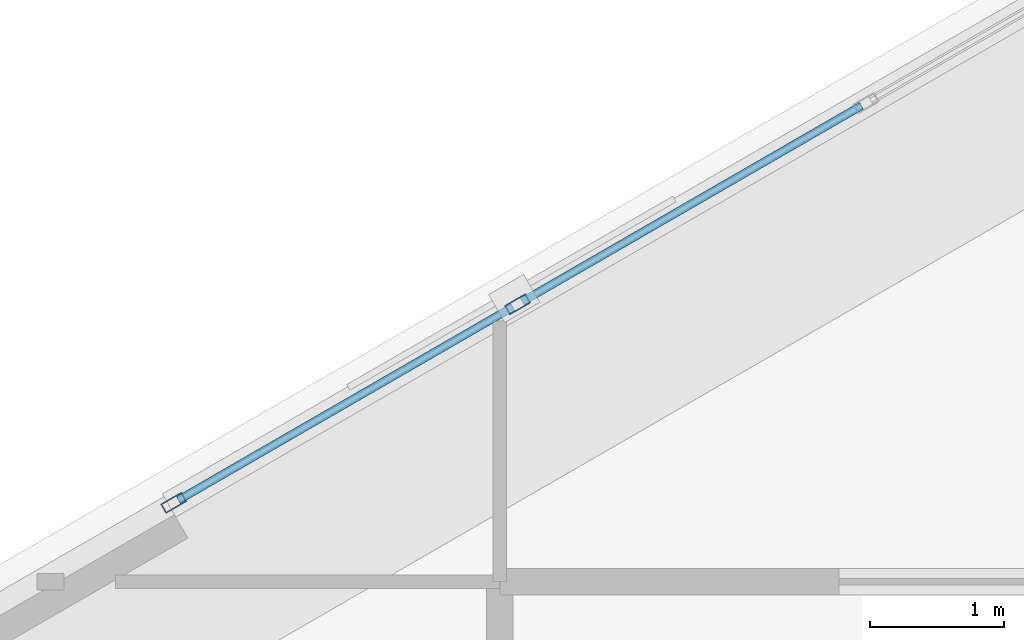
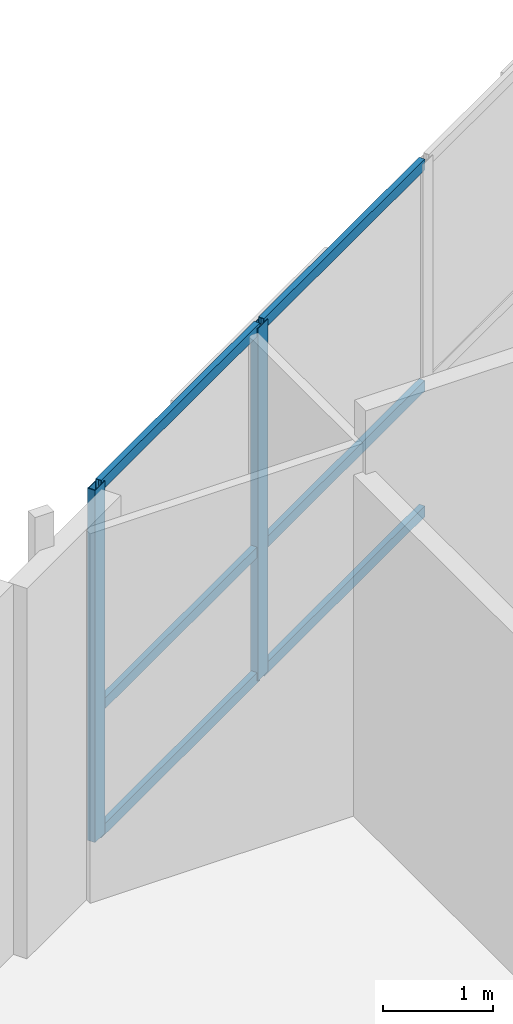
# One storey, part 11 of 29: 8 members, 1 element without a shape of its own.
"""IFC4 building model written with IfcOpenShell, lengths in metres."""

from ifc_helpers import new_model, si_unit, direction, frame, origin, origin_2d, place, context, subcontext, project, spatial, hollow_rectangle, extrude, material, layer, layer_set, material_profile, profile_set, type_object, element, aggregate, save


model = new_model("IFC4")

# Units and contexts
model_context = context("Model", 3, precision=1e-05, world=origin(), true_north=direction((0.0, 1.0)))
body_context = subcontext(model_context, "Body", "Model", "MODEL_VIEW")
ifc_project = project(units=[si_unit("LENGTHUNIT", "METRE"), si_unit("AREAUNIT", "SQUARE_METRE"), si_unit("VOLUMEUNIT", "CUBIC_METRE"), si_unit("PLANEANGLEUNIT", "RADIAN"), si_unit("MASSUNIT", "GRAM", prefix="KILO")], contexts=[model_context])

# Site, building, storey
site_placement = place(None, origin())
site = spatial("IfcSite", under=ifc_project, at=site_placement, CompositionType="ELEMENT")
building_placement = place(site_placement, origin())
building = spatial("IfcBuilding", under=site, at=building_placement, Name="Mersakhor Tower and Convention Hall", CompositionType="ELEMENT")
storey_placement = place(building_placement, frame((0.0, 0.0, 9.60009765625)))
storey = spatial("IfcBuildingStorey", under=building, at=storey_placement, Name="L02", CompositionType="ELEMENT", Elevation=9.60009765625)

# Curtain wall, members
ifc_material_1 = material(Name="Dark solar low-E aluminium curtain wall", Category="aluminium")
ifc_layer = layer(ifc_material_1, 0.18994140625)
ifc_layer_set = layer_set([ifc_layer], Name="Dark solar low-E aluminium curtain wall")
curtain_wall_type = type_object("IfcCurtainWallType", Name="CW-SYS-04", PredefinedType="USERDEFINED", material=ifc_layer_set)
curtain_wall_placement = place(storey_placement, origin())
curtain_wall = element("IfcCurtainWall", 1, at=curtain_wall_placement, inside=storey, type_object=curtain_wall_type, Name="L02 Dark-Glass Curtain Wall F1-B2", ObjectType="CURTAIN WALL", PredefinedType="USERDEFINED")
ifc_material_2 = material(Name="Anodised aluminium EN AW-6063 T6", Category="aluminium")
ifc_material_profile_1 = material_profile(ifc_material_2, hollow_rectangle(XDim=0.080078125, YDim=0.179931640625, WallThickness=0.008056640625, at=origin_2d()), Name="RHS 180x80x8")
ifc_profile_set_1 = profile_set([ifc_material_profile_1], Name="Anodised aluminium EN AW-6063 T6")
member_type_1 = type_object("IfcMemberType", Name="CWM-180x80", PredefinedType="MULLION", material=ifc_profile_set_1)
member_1_placement = place(storey_placement, frame((16.425048828125, 36.63720703125, 0.199951171875), z_axis=(0.0, 0.0, 1.0), x_axis=(-0.50000344889, 0.866023412558, 0.0)))
member_1 = element("IfcMember", 2, at=member_1_placement, type_object=member_type_1, Name="CW-04 mullion 1", PredefinedType="MULLION", context=body_context, shape_type="SweptSolid", body=[
    extrude(hollow_rectangle(XDim=0.080078125, YDim=0.179931640625, WallThickness=0.008056640625, at=origin_2d()), origin(), (0.0, 0.0, 1.0), 3.89990234375),
])
member_2_placement = place(storey_placement, frame((18.982666015625, 38.11376953125, 0.199951171875), z_axis=(0.0, 0.0, 1.0), x_axis=(-0.50000344889, 0.866023412558, 0.0)))
member_2 = element("IfcMember", 3, at=member_2_placement, type_object=member_type_1, Name="CW-04 mullion 2", PredefinedType="MULLION", context=body_context, shape_type="SweptSolid", body=[
    extrude(hollow_rectangle(XDim=0.080078125, YDim=0.179931640625, WallThickness=0.008056640625, at=origin_2d()), origin(), (0.0, 0.0, 1.0), 3.89990234375),
])
ifc_material_3 = material(Name="Anodised aluminium EN AW-6063 T6", Category="aluminium")
ifc_material_profile_2 = material_profile(ifc_material_3, hollow_rectangle(XDim=0.06005859375, YDim=0.1201171875, WallThickness=0.0048828125, at=origin_2d()), Name="RHS 120x60x5")
ifc_profile_set_2 = profile_set([ifc_material_profile_2], Name="Anodised aluminium EN AW-6063 T6")
member_type_2 = type_object("IfcMemberType", Name="CWT-120x60", PredefinedType="USERDEFINED", material=ifc_profile_set_2)
member_3_placement = place(storey_placement, frame((16.459716796875, 36.6572265625, 0.22998046875), z_axis=(0.866038426532, 0.499977443261, 0.0), x_axis=(-0.499977443261, 0.866038426532, 0.0)))
member_3 = element("IfcMember", 4, at=member_3_placement, type_object=member_type_2, Name="CW-04 transom 1.1", ObjectType="TRANSOM", PredefinedType="USERDEFINED", context=body_context, shape_type="SweptSolid", body=[
    extrude(hollow_rectangle(XDim=0.06005859375, YDim=0.1201171875, WallThickness=0.0048828125, at=origin_2d()), origin(), (0.0, 0.0, 1.0), 2.873291015625),
])
member_4_placement = place(storey_placement, frame((16.459716796875, 36.6572265625, 1.619873046875), z_axis=(0.866038426532, 0.499977443261, 0.0), x_axis=(-0.499977443261, 0.866038426532, 0.0)))
member_4 = element("IfcMember", 5, at=member_4_placement, type_object=member_type_2, Name="CW-04 transom 1.2", ObjectType="TRANSOM", PredefinedType="USERDEFINED", context=body_context, shape_type="SweptSolid", body=[
    extrude(hollow_rectangle(XDim=0.06005859375, YDim=0.1201171875, WallThickness=0.0048828125, at=origin_2d()), origin(), (0.0, 0.0, 1.0), 2.873291015625),
])
member_5_placement = place(storey_placement, frame((16.459716796875, 36.6572265625, 4.06982421875), z_axis=(0.866038426532, 0.499977443261, 0.0), x_axis=(-0.499977443261, 0.866038426532, 0.0)))
member_5 = element("IfcMember", 6, at=member_5_placement, type_object=member_type_2, Name="CW-04 transom 1.3", ObjectType="TRANSOM", PredefinedType="USERDEFINED", context=body_context, shape_type="SweptSolid", body=[
    extrude(hollow_rectangle(XDim=0.06005859375, YDim=0.1201171875, WallThickness=0.0048828125, at=origin_2d()), origin(), (0.0, 0.0, 1.0), 2.873291015625),
])
member_6_placement = place(storey_placement, frame((19.017333984375, 38.1337890625, 0.22998046875), z_axis=(0.866001369261, 0.500041626706, 0.0), x_axis=(-0.500041626706, 0.866001369261, 0.0)))
member_6 = element("IfcMember", 7, at=member_6_placement, type_object=member_type_2, Name="CW-04 transom 2.1", ObjectType="TRANSOM", PredefinedType="USERDEFINED", context=body_context, shape_type="SweptSolid", body=[
    extrude(hollow_rectangle(XDim=0.06005859375, YDim=0.1201171875, WallThickness=0.0048828125, at=origin_2d()), origin(), (0.0, 0.0, 1.0), 2.913330078125),
])
member_7_placement = place(storey_placement, frame((19.017333984375, 38.1337890625, 1.619873046875), z_axis=(0.866001369261, 0.500041626706, 0.0), x_axis=(-0.500041626706, 0.866001369261, 0.0)))
member_7 = element("IfcMember", 8, at=member_7_placement, type_object=member_type_2, Name="CW-04 transom 2.2", ObjectType="TRANSOM", PredefinedType="USERDEFINED", context=body_context, shape_type="SweptSolid", body=[
    extrude(hollow_rectangle(XDim=0.06005859375, YDim=0.1201171875, WallThickness=0.0048828125, at=origin_2d()), origin(), (0.0, 0.0, 1.0), 2.913330078125),
])
member_8_placement = place(storey_placement, frame((19.017333984375, 38.1337890625, 4.06982421875), z_axis=(0.866001369261, 0.500041626706, 0.0), x_axis=(-0.500041626706, 0.866001369261, 0.0)))
member_8 = element("IfcMember", 9, at=member_8_placement, type_object=member_type_2, Name="CW-04 transom 2.3", ObjectType="TRANSOM", PredefinedType="USERDEFINED", context=body_context, shape_type="SweptSolid", body=[
    extrude(hollow_rectangle(XDim=0.06005859375, YDim=0.1201171875, WallThickness=0.0048828125, at=origin_2d()), origin(), (0.0, 0.0, 1.0), 2.913330078125),
])
aggregate(curtain_wall, [member_1, member_2, member_3, member_4, member_5, member_6, member_7, member_8])

save(model, "model.ifc")
